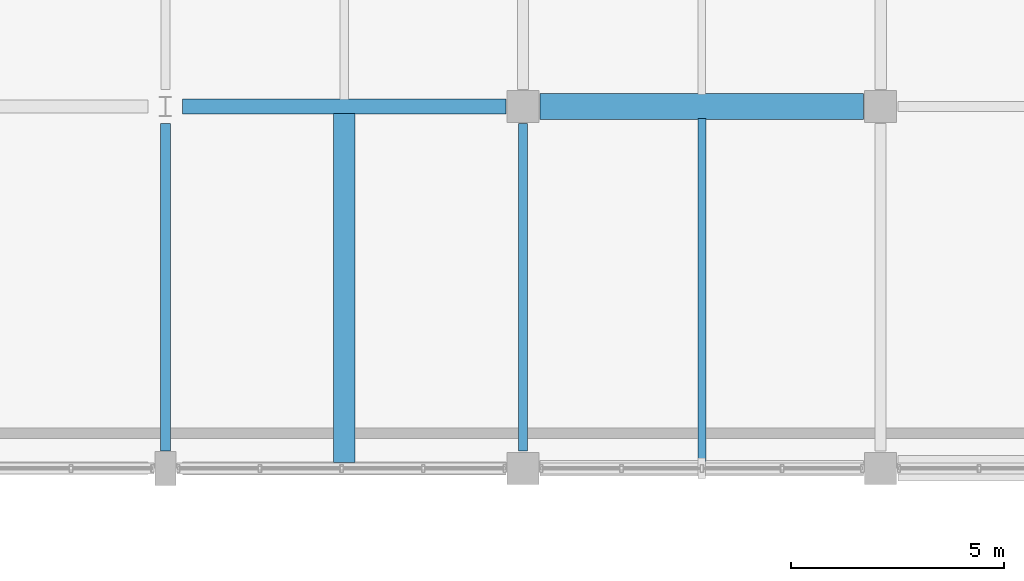
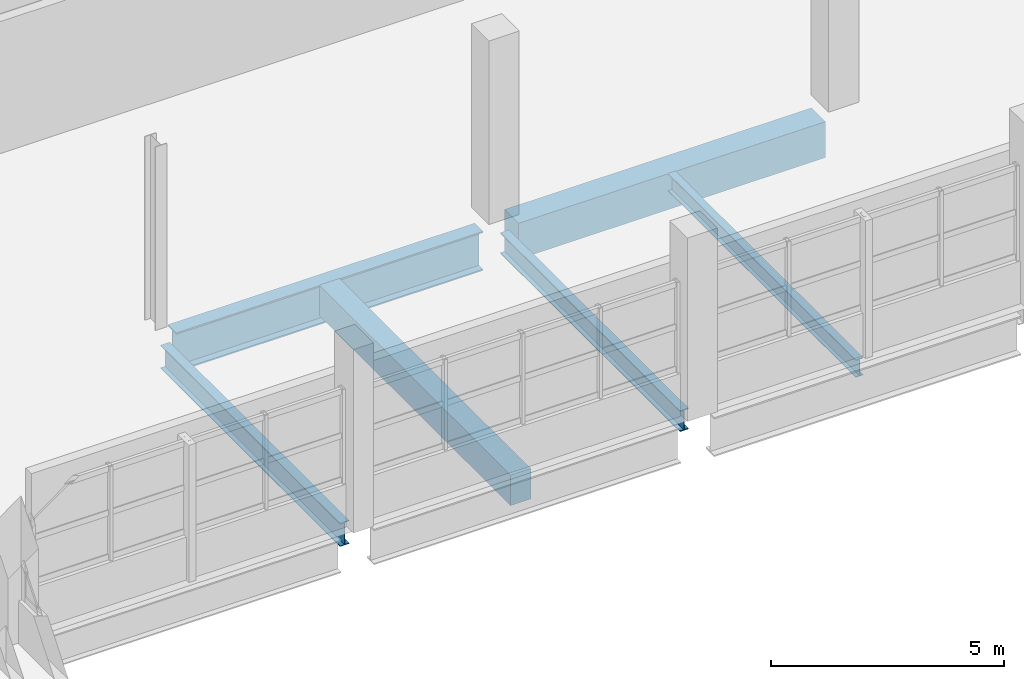
# One storey, part 42 of 117: 6 beams.
"""IFC4 building model written with IfcOpenShell, lengths in metres."""

from ifc_helpers import new_model, si_unit, direction, frame, origin, origin_2d, place, context, subcontext, project, spatial, rectangle, i_section, extrude, material, material_profile, profile_set, type_object, element, save


model = new_model("IFC4")

# Units and contexts
model_context = context("Model", 3, precision=1e-05, world=origin(), true_north=direction((0.0, 1.0)))
body_context = subcontext(model_context, "Body", "Model", "MODEL_VIEW")
ifc_project = project(units=[si_unit("LENGTHUNIT", "METRE"), si_unit("AREAUNIT", "SQUARE_METRE"), si_unit("VOLUMEUNIT", "CUBIC_METRE"), si_unit("PLANEANGLEUNIT", "RADIAN"), si_unit("MASSUNIT", "GRAM", prefix="KILO")], contexts=[model_context])

# Site, building, storey
site_placement = place(None, origin())
site = spatial("IfcSite", under=ifc_project, at=site_placement, CompositionType="ELEMENT")
building_placement = place(site_placement, origin())
building = spatial("IfcBuilding", under=site, at=building_placement, Name="Solvento Point Concert Hall", CompositionType="ELEMENT")
storey_placement = place(building_placement, frame((0.0, 0.0, 5.39990234375)))
storey = spatial("IfcBuildingStorey", under=building, at=storey_placement, Name="L01", CompositionType="ELEMENT", Elevation=5.39990234375)

# Beams
ifc_material_1 = material(Name="Concrete C35/45", Category="concrete")
ifc_material_profile_1 = material_profile(ifc_material_1, rectangle(XDim=0.5, YDim=0.800048828125, at=origin_2d()), Name="RC-BM-500X800")
ifc_profile_set_1 = profile_set([ifc_material_profile_1], Name="Concrete C35/45")
beam_type_1 = type_object("IfcBeamType", Name="Beam_RC_500x800", PredefinedType="BEAM", material=ifc_profile_set_1)
beam_1_placement = place(storey_placement, frame((36.60009765625, 119.138916015625, -0.683837890625), z_axis=(0.0, 1.0, 0.0), x_axis=(-1.0, 0.0, 0.0)))
element("IfcBeam", 1, at=beam_1_placement, inside=storey, type_object=beam_type_1, Name="Secondary floor joist B-63 L01", PredefinedType="BEAM", context=body_context, shape_type="SweptSolid", body=[
    extrude(rectangle(XDim=0.5, YDim=0.800048828125, at=origin_2d()), origin(), (0.0, 0.0, 1.0), 8.195556640625),
])
ifc_material_2 = material(Name="Structural Steel ASTM A992 Grade 50", Category="steel")
ifc_material_profile_2 = material_profile(ifc_material_2, i_section(OverallWidth=0.214111328125, OverallDepth=0.549072265625, WebThickness=0.0146484375, FlangeThickness=0.023681640625, at=origin_2d()), Name="W21X93")
ifc_profile_set_2 = profile_set([ifc_material_profile_2], Name="Structural Steel ASTM A992 Grade 50")
beam_type_2 = type_object("IfcBeamType", Name="Beam_W21X93", PredefinedType="BEAM", material=ifc_profile_set_2)
beam_2_placement = place(storey_placement, frame((40.800048828125, 119.404052734375, -0.558349609375), z_axis=(0.0, 1.0, 0.0), x_axis=(-1.0, 0.0, 0.0)))
element("IfcBeam", 2, at=beam_2_placement, inside=storey, type_object=beam_type_2, Name="Primary girder B-48 L01", PredefinedType="BEAM", context=body_context, shape_type="SweptSolid", body=[
    extrude(i_section(OverallWidth=0.214111328125, OverallDepth=0.549072265625, WebThickness=0.0146484375, FlangeThickness=0.023681640625, at=origin_2d()), origin(), (0.0, 0.0, 1.0), 7.69189453125),
])
ifc_material_3 = material(Name="Structural Steel ASTM A992 Grade 50", Category="steel")
ifc_material_profile_3 = material_profile(ifc_material_3, i_section(OverallWidth=0.228515625, OverallDepth=0.60791015625, WebThickness=0.01123046875, FlangeThickness=0.017333984375, at=origin_2d()), Name="W24X76")
ifc_profile_set_3 = profile_set([ifc_material_profile_3], Name="Structural Steel ASTM A992 Grade 50")
beam_type_3 = type_object("IfcBeamType", Name="Beam_W24X76", PredefinedType="BEAM", material=ifc_profile_set_3)
beam_3_placement = place(storey_placement, frame((32.39990234375, 119.404052734375, -0.587890625), z_axis=(0.0, 1.0, 0.0), x_axis=(-1.0, 0.0, 0.0)))
element("IfcBeam", 3, at=beam_3_placement, inside=storey, type_object=beam_type_3, Name="Primary girder B-42 L01", PredefinedType="BEAM", context=body_context, shape_type="SweptSolid", body=[
    extrude(i_section(OverallWidth=0.228515625, OverallDepth=0.60791015625, WebThickness=0.01123046875, FlangeThickness=0.017333984375, at=origin_2d()), origin(), (0.0, 0.0, 1.0), 7.69189453125),
])
ifc_material_4 = material(Name="Concrete C35/45", Category="concrete")
ifc_material_profile_4 = material_profile(ifc_material_4, rectangle(XDim=0.60009765625, YDim=0.93994140625, at=origin_2d()), Name="RC-BM-600X940")
ifc_profile_set_4 = profile_set([ifc_material_profile_4], Name="Concrete C35/45")
beam_type_4 = type_object("IfcBeamType", Name="Girder_RC_600x940", PredefinedType="USERDEFINED", material=ifc_profile_set_4)
beam_4_placement = place(storey_placement, frame((41.2041015625, 127.5, -0.75390625), z_axis=(1.0, 0.0, 0.0), x_axis=(0.0, 1.0, 0.0)))
element("IfcBeam", 4, at=beam_4_placement, inside=storey, type_object=beam_type_4, Name="Primary girder B-34 L01", ObjectType="GIRDER", PredefinedType="USERDEFINED", context=body_context, shape_type="SweptSolid", body=[
    extrude(rectangle(XDim=0.60009765625, YDim=0.93994140625, at=origin_2d()), origin(), (0.0, 0.0, 1.0), 7.591796875),
])
ifc_material_5 = material(Name="Structural Steel ASTM A992 Grade 50", Category="steel")
ifc_material_profile_5 = material_profile(ifc_material_5, i_section(OverallWidth=0.361083984375, OverallDepth=1.02587890625, WebThickness=0.01904296875, FlangeThickness=0.0361328125, at=origin_2d()), Name="W40X249")
ifc_profile_set_5 = profile_set([ifc_material_profile_5], Name="Structural Steel ASTM A992 Grade 50")
beam_type_5 = type_object("IfcBeamType", Name="Girder_W40X249", PredefinedType="USERDEFINED", material=ifc_profile_set_5)
beam_5_placement = place(storey_placement, frame((32.803955078125, 127.5, -0.796875), z_axis=(1.0, 0.0, 0.0), x_axis=(0.0, 1.0, 0.0)))
element("IfcBeam", 5, at=beam_5_placement, inside=storey, type_object=beam_type_5, Name="Primary girder B-29 L01", ObjectType="GIRDER", PredefinedType="USERDEFINED", context=body_context, shape_type="SweptSolid", body=[
    extrude(i_section(OverallWidth=0.361083984375, OverallDepth=1.02587890625, WebThickness=0.01904296875, FlangeThickness=0.0361328125, at=origin_2d()), origin(), (0.0, 0.0, 1.0), 7.592041015625),
])
ifc_material_6 = material(Name="Structural Steel ASTM A992 Grade 50", Category="steel")
ifc_material_profile_6 = material_profile(ifc_material_6, i_section(OverallWidth=0.1904296875, OverallDepth=0.45703125, WebThickness=0.009033203125, FlangeThickness=0.014404296875, at=origin_2d()), Name="W18X50")
ifc_profile_set_6 = profile_set([ifc_material_profile_6], Name="Structural Steel ASTM A992 Grade 50")
beam_type_6 = type_object("IfcBeamType", Name="Joist_W18X50", PredefinedType="JOIST", material=ifc_profile_set_6)
beam_6_placement = place(storey_placement, frame((45.0, 119.16552734375, -0.512451171875), z_axis=(0.0, 1.0, 0.0), x_axis=(-1.0, 0.0, 0.0)))
element("IfcBeam", 6, at=beam_6_placement, inside=storey, type_object=beam_type_6, Name="Secondary floor joist B-66 L01", PredefinedType="JOIST", context=body_context, shape_type="SweptSolid", body=[
    extrude(i_section(OverallWidth=0.1904296875, OverallDepth=0.45703125, WebThickness=0.009033203125, FlangeThickness=0.014404296875, at=origin_2d()), origin(), (0.0, 0.0, 1.0), 8.049560546875),
])

save(model, "model.ifc")
